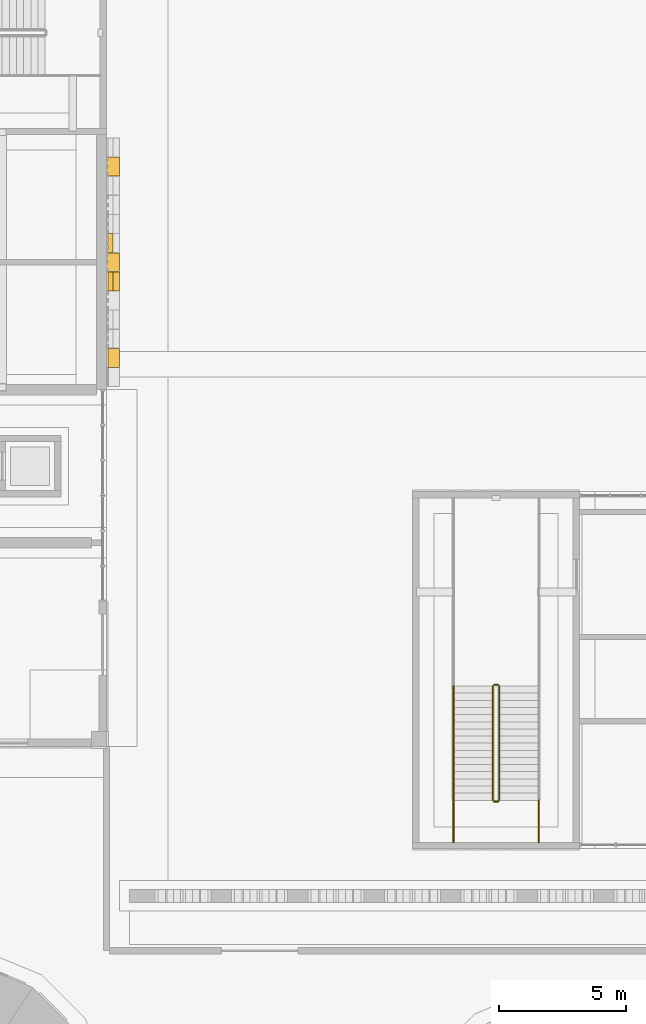
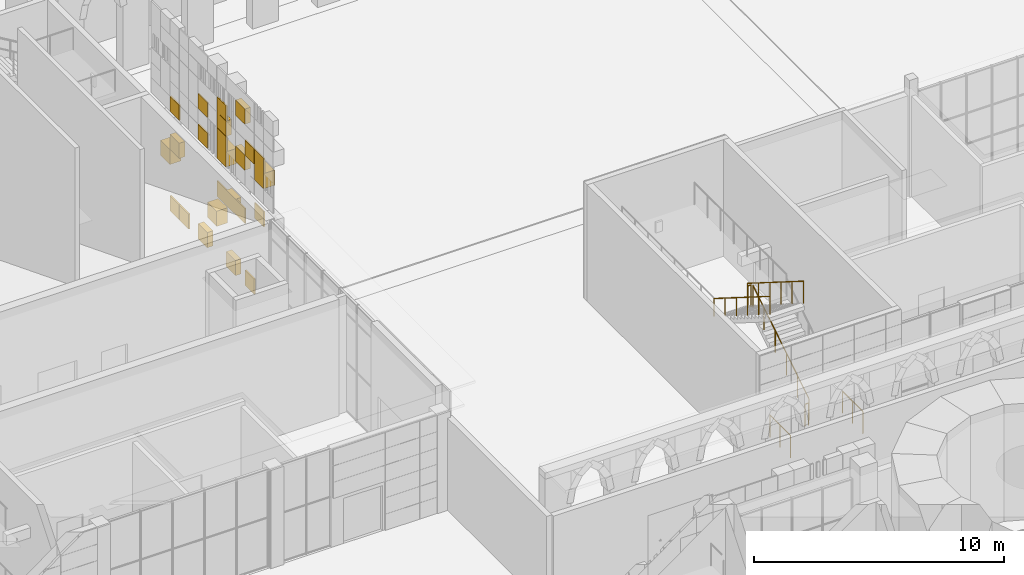
# One storey, part 95 of 125: 7 railings, 1 covering.
"""IFC4 building model written with IfcOpenShell, lengths in metres."""

from ifc_helpers import new_model, si_unit, direction, frame, origin, origin_2d, place, context, subcontext, project, spatial, rectangle, circle, extrude, material, layer, layer_set, type_object, element, save


model = new_model("IFC4")

# Units and contexts
model_context = context("Model", 3, precision=1e-05, world=origin(), true_north=direction((0.0, 1.0)))
body_context = subcontext(model_context, "Body", "Model", "MODEL_VIEW")
ifc_project = project(units=[si_unit("LENGTHUNIT", "METRE"), si_unit("AREAUNIT", "SQUARE_METRE"), si_unit("VOLUMEUNIT", "CUBIC_METRE"), si_unit("PLANEANGLEUNIT", "RADIAN"), si_unit("MASSUNIT", "GRAM", prefix="KILO")], contexts=[model_context])

# Site, building, storey
site_placement = place(None, origin())
site = spatial("IfcSite", under=ifc_project, at=site_placement, CompositionType="ELEMENT")
building_placement = place(site_placement, origin())
building = spatial("IfcBuilding", under=site, at=building_placement, Name="Sun Court Science Centre", CompositionType="ELEMENT")
storey_placement = place(building_placement, origin())
storey = spatial("IfcBuildingStorey", under=building, at=storey_placement, Name="L00", CompositionType="ELEMENT", Elevation=0.0)

# Railings
ifc_material_1 = material(Name="Steel S275", Category="steel")
railing_type_1 = type_object("IfcRailingType", Name="Guard 1100 steel balustrade", PredefinedType="GUARDRAIL", material=ifc_material_1)
railing_1_placement = place(storey_placement, frame((39.39990234375, 37.89794921875, 0.176513671875)))
element("IfcRailing", 1, at=railing_1_placement, inside=storey, type_object=railing_type_1, Name="L00 SP1 stair guard 1", PredefinedType="GUARDRAIL", context=body_context, shape_type="SweptSolid", body=[
    extrude(circle(Radius=0.02392578125, at=origin_2d()), frame((0.0, 0.0, 1.076171875), z_axis=(0.0, 0.845997938375, 0.533186166611), x_axis=(-1.0, 0.0, 0.0)), (0.0, 0.0, 1.0), 5.29541015625),
    extrude(circle(Radius=0.02099609375, at=origin_2d()), origin(), (0.0, 0.0, 1.0), 1.052001953125),
    extrude(circle(Radius=0.02099609375, at=origin_2d()), frame((0.0, 0.89599609375, 0.564697265625)), (0.0, 0.0, 1.0), 1.052001953125),
    extrude(circle(Radius=0.02099609375, at=origin_2d()), frame((0.0, 1.7919921875, 1.12939453125)), (0.0, 0.0, 1.0), 1.052001953125),
    extrude(circle(Radius=0.02099609375, at=origin_2d()), frame((0.0, 2.68798828125, 1.694091796875)), (0.0, 0.0, 1.0), 1.052001953125),
    extrude(circle(Radius=0.02099609375, at=origin_2d()), frame((0.0, 3.583984375, 2.2587890625)), (0.0, 0.0, 1.0), 1.052001953125),
    extrude(circle(Radius=0.02099609375, at=origin_2d()), frame((0.0, 4.47998046875, 2.823486328125)), (0.0, 0.0, 1.0), 1.052001953125),
])
railing_2_placement = place(storey_placement, frame((39.35009765625, 42.427978515625, 3.0)))
element("IfcRailing", 2, at=railing_2_placement, inside=storey, type_object=railing_type_1, Name="L00 SP1 stair guard 2", PredefinedType="GUARDRAIL", context=body_context, shape_type="SweptSolid", body=[
    extrude(circle(Radius=0.02392578125, at=origin_2d()), frame((0.0, 0.0, 1.076171875), z_axis=(-1.0, 0.0, 0.0), x_axis=(0.0, -1.0, 0.0)), (0.0, 0.0, 1.0), 0.150146484375),
    extrude(circle(Radius=0.02099609375, at=origin_2d()), origin(), (0.0, 0.0, 1.0), 1.052001953125),
    extrude(circle(Radius=0.02099609375, at=origin_2d()), frame((-0.150146484375, 0.0, 0.0)), (0.0, 0.0, 1.0), 1.052001953125),
])
railing_3_placement = place(storey_placement, frame((39.14990234375, 42.3779296875, 3.176513671875)))
element("IfcRailing", 3, at=railing_3_placement, inside=storey, type_object=railing_type_1, Name="L00 SP1 stair guard 5", PredefinedType="GUARDRAIL", context=body_context, shape_type="SweptSolid", body=[
    extrude(circle(Radius=0.02392578125, at=origin_2d()), frame((0.0, 0.0, 1.076171875), z_axis=(0.0, -0.845997938375, 0.533186166611), x_axis=(1.0, 0.0, 0.0)), (0.0, 0.0, 1.0), 5.29541015625),
    extrude(circle(Radius=0.02099609375, at=origin_2d()), origin(), (0.0, 0.0, 1.0), 1.052001953125),
    extrude(circle(Radius=0.02099609375, at=origin_2d()), frame((0.0, -0.89599609375, 0.564697265625)), (0.0, 0.0, 1.0), 1.052001953125),
    extrude(circle(Radius=0.02099609375, at=origin_2d()), frame((0.0, -1.7919921875, 1.12939453125)), (0.0, 0.0, 1.0), 1.052001953125),
    extrude(circle(Radius=0.02099609375, at=origin_2d()), frame((0.0, -2.68798828125, 1.694091796875)), (0.0, 0.0, 1.0), 1.052001953125),
    extrude(circle(Radius=0.02099609375, at=origin_2d()), frame((0.0, -3.583984375, 2.2587890625)), (0.0, 0.0, 1.0), 1.052001953125),
    extrude(circle(Radius=0.02099609375, at=origin_2d()), frame((0.0, -4.47998046875, 2.823486328125)), (0.0, 0.0, 1.0), 1.052001953125),
])
railing_4_placement = place(storey_placement, frame((39.35009765625, 37.847900390625, 0.0)))
element("IfcRailing", 4, at=railing_4_placement, inside=storey, type_object=railing_type_1, Name="L00 SP1 stair guard 6", PredefinedType="GUARDRAIL", context=body_context, shape_type="SweptSolid", body=[
    extrude(circle(Radius=0.02392578125, at=origin_2d()), frame((0.0, 0.0, 1.076171875), z_axis=(-1.0, 0.0, 0.0), x_axis=(0.0, -1.0, 0.0)), (0.0, 0.0, 1.0), 0.150146484375),
    extrude(circle(Radius=0.02099609375, at=origin_2d()), origin(), (0.0, 0.0, 1.0), 1.052001953125),
    extrude(circle(Radius=0.02099609375, at=origin_2d()), frame((-0.150146484375, 0.0, 0.0)), (0.0, 0.0, 1.0), 1.052001953125),
])
for number, where, name in (
    (5, (40.947998046875, 36.25, 0.0), "L00 SP1 stair guard 7"),
    (6, (37.60205078125, 36.25, 0.0), "L00 SP1 stair guard 8"),
):
    element("IfcRailing", number, at=place(storey_placement, frame(where)), inside=storey, type_object=railing_type_1, Name=name, PredefinedType="GUARDRAIL", context=body_context, shape_type="SweptSolid", body=[
        extrude(circle(Radius=0.02392578125, at=origin_2d()), frame((0.0, 0.0, 1.076171875), z_axis=(0.0, 1.0, 0.0), x_axis=(-1.0, 0.0, 0.0)), (0.0, 0.0, 1.0), 1.64794921875),
        extrude(circle(Radius=0.02099609375, at=origin_2d()), origin(), (0.0, 0.0, 1.0), 1.052001953125),
        extrude(circle(Radius=0.02099609375, at=origin_2d()), frame((0.0, 0.823974609375, 0.0)), (0.0, 0.0, 1.0), 1.052001953125),
        extrude(circle(Radius=0.02099609375, at=origin_2d()), frame((0.0, 1.64794921875, 0.0)), (0.0, 0.0, 1.0), 1.052001953125),
    ])
ifc_material_2 = material(Name="Stainless steel", Category="steel")
railing_type_2 = type_object("IfcRailingType", Name="Handrail 900 stainless", PredefinedType="HANDRAIL", material=ifc_material_2)
railing_5_placement = place(storey_placement, frame((37.60205078125, 42.3779296875, 3.176513671875)))
element("IfcRailing", 7, at=railing_5_placement, inside=storey, type_object=railing_type_2, Name="L00 SP1 stair handrail 2", PredefinedType="HANDRAIL", context=body_context, shape_type="SweptSolid", body=[
    extrude(circle(Radius=0.02392578125, at=origin_2d()), frame((0.0, 0.0, 0.8759765625), z_axis=(0.0, -0.845997938375, 0.533186166611), x_axis=(1.0, 0.0, 0.0)), (0.0, 0.0, 1.0), 5.29541015625),
    extrude(circle(Radius=0.02099609375, at=origin_2d()), origin(), (0.0, 0.0, 1.0), 0.851806640625),
    extrude(circle(Radius=0.02099609375, at=origin_2d()), frame((0.0, -0.89599609375, 0.564697265625)), (0.0, 0.0, 1.0), 0.851806640625),
    extrude(circle(Radius=0.02099609375, at=origin_2d()), frame((0.0, -1.7919921875, 1.12939453125)), (0.0, 0.0, 1.0), 0.851806640625),
    extrude(circle(Radius=0.02099609375, at=origin_2d()), frame((0.0, -2.68798828125, 1.694091796875)), (0.0, 0.0, 1.0), 0.851806640625),
    extrude(circle(Radius=0.02099609375, at=origin_2d()), frame((0.0, -3.583984375, 2.2587890625)), (0.0, 0.0, 1.0), 0.851806640625),
    extrude(circle(Radius=0.02099609375, at=origin_2d()), frame((0.0, -4.47998046875, 2.823486328125)), (0.0, 0.0, 1.0), 0.851806640625),
])

# Covering
ifc_material_3 = material(Name="Terracotta shade 3", Category="masonry")
ifc_layer = layer(ifc_material_3, 0.06005859375)
ifc_layer_set = layer_set([ifc_layer], Name="Terracotta shade 3")
covering_type = type_object("IfcCoveringType", Name="Terracotta pixel panel shade 3", PredefinedType="CLADDING", material=ifc_layer_set)
covering_placement = place(storey_placement, origin())
element("IfcCovering", 8, at=covering_placement, inside=storey, type_object=covering_type, Name="Terracotta pixel cladding shade 3 east party wall L00", PredefinedType="CLADDING", context=body_context, shape_type="SweptSolid", body=[
    extrude(rectangle(XDim=0.739990234375, YDim=0.06005859375, at=origin_2d()), frame((24.030029296875, 62.0, 0.97998046875), z_axis=(0.0, 0.0, 1.0), x_axis=(0.0, -1.0, 0.0)), (0.0, 0.0, 1.0), 0.739990234375),
    extrude(rectangle(XDim=0.739990234375, YDim=0.06005859375, at=origin_2d()), frame((24.030029296875, 61.25, 0.97998046875), z_axis=(0.0, 0.0, 1.0), x_axis=(0.0, -1.0, 0.0)), (0.0, 0.0, 1.0), 0.739990234375),
    extrude(rectangle(XDim=0.739990234375, YDim=0.260009765625, at=origin_2d()), frame((24.1298828125, 59.75, 0.97998046875), z_axis=(0.0, 0.0, 1.0), x_axis=(0.0, -1.0, 0.0)), (0.0, 0.0, 1.0), 0.739990234375),
    extrude(rectangle(XDim=0.739990234375, YDim=0.260009765625, at=origin_2d()), frame((24.1298828125, 57.5, 0.97998046875), z_axis=(0.0, 0.0, 1.0), x_axis=(0.0, -1.0, 0.0)), (0.0, 0.0, 1.0), 0.739990234375),
    extrude(rectangle(XDim=0.739990234375, YDim=0.06005859375, at=origin_2d()), frame((24.030029296875, 56.0, 0.97998046875), z_axis=(0.0, 0.0, 1.0), x_axis=(0.0, -1.0, 0.0)), (0.0, 0.0, 1.0), 0.739990234375),
    extrude(rectangle(XDim=0.739990234375, YDim=0.510009765625, at=origin_2d()), frame((24.2548828125, 59.0, 2.47998046875), z_axis=(0.0, 0.0, 1.0), x_axis=(0.0, -1.0, 0.0)), (0.0, 0.0, 1.0), 0.739990234375),
    extrude(rectangle(XDim=0.739990234375, YDim=0.510009765625, at=origin_2d()), frame((24.2548828125, 62.75, 3.22998046875), z_axis=(0.0, 0.0, 1.0), x_axis=(0.0, -1.0, 0.0)), (0.0, 0.0, 1.0), 0.739990234375),
    extrude(rectangle(XDim=0.739990234375, YDim=0.260009765625, at=origin_2d()), frame((24.1298828125, 62.0, 3.97998046875), z_axis=(0.0, 0.0, 1.0), x_axis=(0.0, -1.0, 0.0)), (0.0, 0.0, 1.0), 0.739990234375),
    extrude(rectangle(XDim=0.739990234375, YDim=0.06005859375, at=origin_2d()), frame((24.030029296875, 58.25, 3.97998046875), z_axis=(0.0, 0.0, 1.0), x_axis=(0.0, -1.0, 0.0)), (0.0, 0.0, 1.0), 0.739990234375),
    extrude(rectangle(XDim=0.739990234375, YDim=0.260009765625, at=origin_2d()), frame((24.1298828125, 57.5, 3.97998046875), z_axis=(0.0, 0.0, 1.0), x_axis=(0.0, -1.0, 0.0)), (0.0, 0.0, 1.0), 0.739990234375),
    extrude(rectangle(XDim=0.739990234375, YDim=0.06005859375, at=origin_2d()), frame((24.030029296875, 56.75, 3.97998046875), z_axis=(0.0, 0.0, 1.0), x_axis=(0.0, -1.0, 0.0)), (0.0, 0.0, 1.0), 0.739990234375),
    extrude(rectangle(XDim=0.739990234375, YDim=0.06005859375, at=origin_2d()), frame((24.030029296875, 55.25, 4.72998046875), z_axis=(0.0, 0.0, 1.0), x_axis=(0.0, -1.0, 0.0)), (0.0, 0.0, 1.0), 0.739990234375),
    extrude(rectangle(XDim=0.739990234375, YDim=0.06005859375, at=origin_2d()), frame((24.030029296875, 62.0, 5.8388671875), z_axis=(0.0, 0.0, 1.0), x_axis=(0.0, -1.0, 0.0)), (0.0, 0.0, 1.0), 0.739990234375),
    extrude(rectangle(XDim=0.739990234375, YDim=0.06005859375, at=origin_2d()), frame((24.030029296875, 59.75, 5.8388671875), z_axis=(0.0, 0.0, 1.0), x_axis=(0.0, -1.0, 0.0)), (0.0, 0.0, 1.0), 0.739990234375),
    extrude(rectangle(XDim=0.739990234375, YDim=0.510009765625, at=origin_2d()), frame((24.2548828125, 58.25, 5.8388671875), z_axis=(0.0, 0.0, 1.0), x_axis=(0.0, -1.0, 0.0)), (0.0, 0.0, 1.0), 0.739990234375),
    extrude(rectangle(XDim=0.739990234375, YDim=0.06005859375, at=origin_2d()), frame((24.030029296875, 58.25, 6.5888671875), z_axis=(0.0, 0.0, 1.0), x_axis=(0.0, -1.0, 0.0)), (0.0, 0.0, 1.0), 0.739990234375),
    extrude(rectangle(XDim=0.739990234375, YDim=0.260009765625, at=origin_2d()), frame((24.1298828125, 56.75, 6.5888671875), z_axis=(0.0, 0.0, 1.0), x_axis=(0.0, -1.0, 0.0)), (0.0, 0.0, 1.0), 0.739990234375),
    extrude(rectangle(XDim=0.739990234375, YDim=0.510009765625, at=origin_2d()), frame((24.2548828125, 55.25, 6.5888671875), z_axis=(0.0, 0.0, 1.0), x_axis=(0.0, -1.0, 0.0)), (0.0, 0.0, 1.0), 0.739990234375),
    extrude(rectangle(XDim=0.739990234375, YDim=0.06005859375, at=origin_2d()), frame((24.030029296875, 59.75, 7.3388671875), z_axis=(0.0, 0.0, 1.0), x_axis=(0.0, -1.0, 0.0)), (0.0, 0.0, 1.0), 0.739990234375),
    extrude(rectangle(XDim=0.739990234375, YDim=0.260009765625, at=origin_2d()), frame((24.1298828125, 58.25, 7.3388671875), z_axis=(0.0, 0.0, 1.0), x_axis=(0.0, -1.0, 0.0)), (0.0, 0.0, 1.0), 0.739990234375),
    extrude(rectangle(XDim=0.739990234375, YDim=0.06005859375, at=origin_2d()), frame((24.030029296875, 56.0, 7.3388671875), z_axis=(0.0, 0.0, 1.0), x_axis=(0.0, -1.0, 0.0)), (0.0, 0.0, 1.0), 0.739990234375),
    extrude(rectangle(XDim=0.739990234375, YDim=0.06005859375, at=origin_2d()), frame((24.030029296875, 55.25, 7.3388671875), z_axis=(0.0, 0.0, 1.0), x_axis=(0.0, -1.0, 0.0)), (0.0, 0.0, 1.0), 0.739990234375),
    extrude(rectangle(XDim=0.739990234375, YDim=0.06005859375, at=origin_2d()), frame((24.030029296875, 58.25, 8.0888671875), z_axis=(0.0, 0.0, 1.0), x_axis=(0.0, -1.0, 0.0)), (0.0, 0.0, 1.0), 0.739990234375),
    extrude(rectangle(XDim=0.739990234375, YDim=0.260009765625, at=origin_2d()), frame((24.1298828125, 56.75, 8.8388671875), z_axis=(0.0, 0.0, 1.0), x_axis=(0.0, -1.0, 0.0)), (0.0, 0.0, 1.0), 0.739990234375),
])

save(model, "model.ifc")
